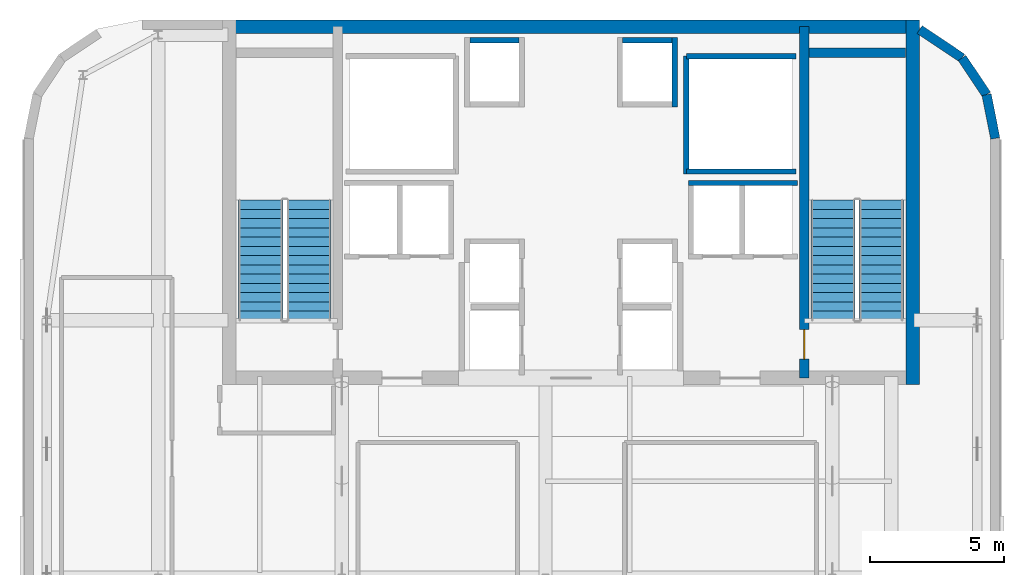
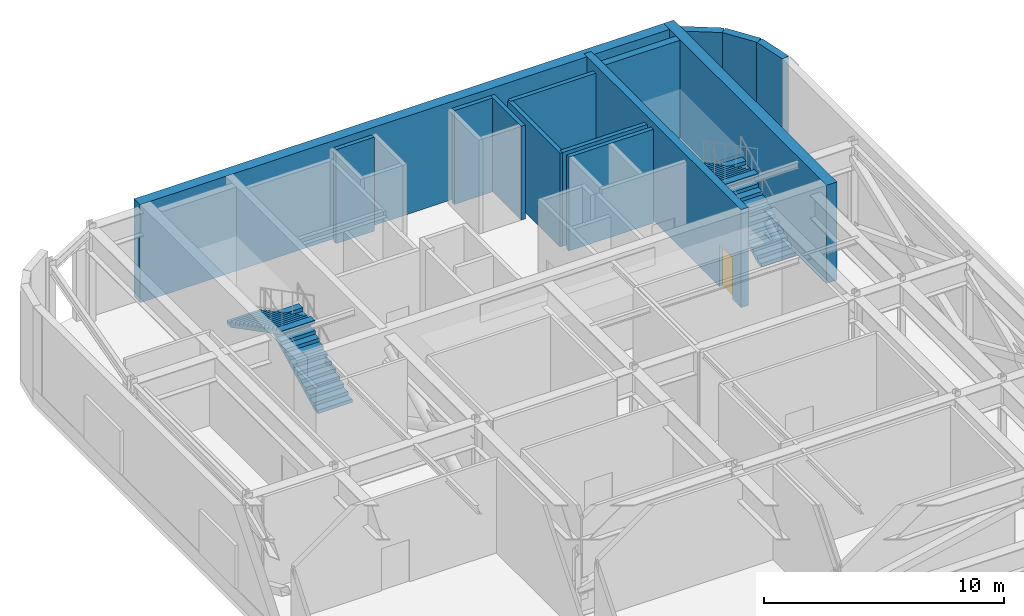
# One storey, part 9 of 13: 14 walls, 4 stair flights, 1 door, 1 opening, 2 elements without a shape of their own.
"""IFC4 building model written with IfcOpenShell, lengths in metres."""

import ifcopenshell
import ifcopenshell.guid

model = None  # the IFC model being written
_history = None  # IfcOwnerHistory: only IFC2X3 demands one
_inside = {}  # id of a spatial element -> (the spatial element, [elements in it])
_under = {}  # id of a project, library or spatial element -> (it, [spatial elements below it])
_declared = {}  # id of a project -> (the project, [libraries it declares])
_typed = {}  # id of a type object -> (the type object, [elements of that type])
_made_of = {}  # id of a material, layer set ... -> (it, [elements and type objects made of it])


def new_model(schema):
    """Start an empty IFC model of exactly this schema.

    Asked for "IFC4X3", IfcOpenShell would pick the latest addendum, in which some entities
    have other attributes; the version numbers below select the first issue.
    IFC2X3 requires an IfcOwnerHistory on every rooted entity: one is made here for all.
    """
    global model, _history
    if schema == "IFC4X3":
        model = ifcopenshell.file(schema_version=(4, 3, 0, 0))
    else:
        model = ifcopenshell.file(schema=schema)
    _inside.clear()
    _under.clear()
    _declared.clear()
    _typed.clear()
    _made_of.clear()
    _history = None
    if model.schema == "IFC2X3":
        org = make("IfcOrganization", Name="unknown")
        user = make(
            "IfcPersonAndOrganization",
            ThePerson=make("IfcPerson", FamilyName="unknown"),
            TheOrganization=org,
        )
        app = make(
            "IfcApplication",
            ApplicationDeveloper=org,
            Version="unknown",
            ApplicationFullName="unknown",
            ApplicationIdentifier="unknown",
        )
        _history = make(
            "IfcOwnerHistory",
            OwningUser=user,
            OwningApplication=app,
            ChangeAction="ADDED",
            CreationDate=0,
        )
    return model


def make(cls, **values):
    """One entity of the class cls with the attributes given. An attribute that is None is left unset."""
    return model.create_entity(
        cls, **{name: value for name, value in values.items() if value is not None}
    )


def rooted(cls, **values):
    """An entity with a GlobalId (a new one), such as an element, a storey or a relation."""
    return make(cls, GlobalId=ifcopenshell.guid.new(), OwnerHistory=_history, **values)


def si_unit(unit_type, name, prefix=None):
    """IfcSIUnit, for example si_unit("LENGTHUNIT", "METRE", prefix="MILLI")."""
    return make("IfcSIUnit", UnitType=unit_type, Prefix=prefix, Name=name)


def assignment(units):
    """IfcUnitAssignment: the units of a project."""
    return None if units is None else make("IfcUnitAssignment", Units=units)


def point(xyz):
    """IfcCartesianPoint."""
    return None if xyz is None else make("IfcCartesianPoint", Coordinates=xyz)


def direction(xyz):
    """IfcDirection."""
    return None if xyz is None else make("IfcDirection", DirectionRatios=xyz)


def frame(location, z_axis=None, x_axis=None):
    """IfcAxis2Placement3D, a coordinate frame: its origin and axes. An axis left out is left unset."""
    return make(
        "IfcAxis2Placement3D",
        Location=point(location),
        Axis=direction(z_axis),
        RefDirection=direction(x_axis),
    )


def frame_2d(location, x_axis=None):
    """IfcAxis2Placement2D, a coordinate frame in the plane: its origin and x axis."""
    return make(
        "IfcAxis2Placement2D", Location=point(location), RefDirection=direction(x_axis)
    )


def origin():
    """The frame at (0, 0, 0) with its axes left unset."""
    return frame((0.0, 0.0, 0.0))


def place(relative_to, where):
    """IfcLocalPlacement: puts the frame where relative to a parent placement (None: the world)."""
    return make(
        "IfcLocalPlacement", PlacementRelTo=relative_to, RelativePlacement=where
    )


def context(
    kind, dimensions, precision=None, world=None, true_north=None, identifier=None
):
    """IfcGeometricRepresentationContext, for example the 3D "Model" context."""
    return make(
        "IfcGeometricRepresentationContext",
        ContextIdentifier=identifier,
        ContextType=kind,
        CoordinateSpaceDimension=dimensions,
        Precision=precision,
        WorldCoordinateSystem=world,
        TrueNorth=true_north,
    )


def subcontext(parent, identifier, kind, view, scale=None):
    """IfcGeometricRepresentationSubContext, for example "Body" below "Model"."""
    return make(
        "IfcGeometricRepresentationSubContext",
        ContextIdentifier=identifier,
        ContextType=kind,
        ParentContext=parent,
        TargetScale=scale,
        TargetView=view,
    )


def project(units=None, contexts=None):
    """IfcProject with its units and contexts."""
    return rooted(
        "IfcProject",
        Name="project",
        RepresentationContexts=contexts,
        UnitsInContext=assignment(units),
    )


def spatial(cls, under=None, at=None, **own):
    """A site, building, storey or space (cls), placed at a placement, below another one or the project."""
    s = rooted(cls, ObjectPlacement=at, **own)
    if under is not None:
        _under.setdefault(under.id(), (under, []))[1].append(s)
    return s


def polyline(points):
    """IfcPolyline through the points."""
    return make("IfcPolyline", Points=[point(p) for p in points])


def profile(cls, at=None, kind="AREA", **sizes):
    """A parametric profile (cls). Its sizes go by their IFC names, for example OverallWidth=200.0."""
    return make(cls, ProfileType=kind, Position=at, **sizes)


def rectangle(**sizes):
    """IfcRectangleProfileDef."""
    return profile("IfcRectangleProfileDef", **sizes)


def outline(outer, holes=None, kind="AREA"):
    """IfcArbitraryClosedProfileDef: a profile drawn as a closed curve; with holes, ...WithVoids."""
    if holes is None:
        return make("IfcArbitraryClosedProfileDef", ProfileType=kind, OuterCurve=outer)
    return make(
        "IfcArbitraryProfileDefWithVoids",
        ProfileType=kind,
        OuterCurve=outer,
        InnerCurves=holes,
    )


def extrude(swept, where, along, depth):
    """IfcExtrudedAreaSolid: the profile swept, set in the frame where, extruded along a direction by depth."""
    return make(
        "IfcExtrudedAreaSolid",
        SweptArea=swept,
        Position=where,
        ExtrudedDirection=direction(along),
        Depth=depth,
    )


def shape(context_of_items, identifier, shape_type, items):
    """IfcShapeRepresentation: the items that make up one representation, for example the "Body"."""
    return make(
        "IfcShapeRepresentation",
        ContextOfItems=context_of_items,
        RepresentationIdentifier=identifier,
        RepresentationType=shape_type,
        Items=items,
    )


def source(mapping_origin, context_of_items, identifier, shape_type, items):
    """IfcRepresentationMap: a shape defined once, which mapped items show again and again."""
    return make(
        "IfcRepresentationMap",
        MappingOrigin=mapping_origin,
        MappedRepresentation=shape(context_of_items, identifier, shape_type, items),
    )


def transform(
    local_origin,
    x_axis=None,
    y_axis=None,
    z_axis=None,
    scale=None,
    scale2=None,
    scale3=None,
    uniform=True,
):
    """IfcCartesianTransformationOperator3D, or its non-uniform kind. x_axis, y_axis, z_axis: its Axis1, 2, 3."""
    if uniform:
        return make(
            "IfcCartesianTransformationOperator3D",
            Axis1=direction(x_axis),
            Axis2=direction(y_axis),
            LocalOrigin=point(local_origin),
            Scale=scale,
            Axis3=direction(z_axis),
        )
    return make(
        "IfcCartesianTransformationOperator3DnonUniform",
        Axis1=direction(x_axis),
        Axis2=direction(y_axis),
        LocalOrigin=point(local_origin),
        Scale=scale,
        Axis3=direction(z_axis),
        Scale2=scale2,
        Scale3=scale3,
    )


def mapped(mapping_source, mapping_target):
    """IfcMappedItem: shows the shape of a source again, moved by a transform."""
    return make(
        "IfcMappedItem", MappingSource=mapping_source, MappingTarget=mapping_target
    )


def material(Name=None, Category=None):
    """IfcMaterial."""
    return make("IfcMaterial", Name=Name, Category=Category)


def layer(
    of_material, thickness, ventilated=None, Name=None, Category=None, Priority=None
):
    """IfcMaterialLayer: one layer of a wall or slab, of a material (None: an air gap)."""
    return make(
        "IfcMaterialLayer",
        Material=of_material,
        LayerThickness=thickness,
        IsVentilated=ventilated,
        Name=Name,
        Category=Category,
        Priority=Priority,
    )


def layer_set(layers, Name=None):
    """IfcMaterialLayerSet."""
    return make("IfcMaterialLayerSet", MaterialLayers=layers, LayerSetName=Name)


def made_of(thing, what):
    """Note that an element or type object is made of a material, layer set ...; save() writes the relation."""
    if what is not None:
        _made_of.setdefault(what.id(), (what, []))[1].append(thing)
    return thing


def type_object(cls, material=None, **own):
    """A type object (cls), such as IfcWallType, which elements share."""
    return made_of(rooted(cls, **own), material)


def type_shapes(of_type, sources):
    """Give a type object the sources (RepresentationMaps) that its elements show as mapped items."""
    of_type.RepresentationMaps = sources


def element(
    cls,
    number,
    at=None,
    inside=None,
    cuts=None,
    type_object=None,
    material=None,
    context=None,
    identifier="Body",
    shape_type=None,
    held_by="IfcProductDefinitionShape",
    body=None,
    shapes=None,
    **own,
):
    """One element of the class cls, such as IfcWall. Its Tag is "e" and its number.

    at: its placement. inside: the storey or other place that contains it. cuts: it is an
    opening in that element (IfcRelVoidsElement). A single representation is given by context,
    identifier, shape_type and body (its items); several are given by shapes. held_by: the class
    of the entity that holds the representations. save() writes the other relations.
    """
    e = rooted(cls, Tag="e%d" % number, ObjectPlacement=at, **own)
    if body is not None:
        shapes = [shape(context, identifier, shape_type, body)]
    if shapes is not None:
        e.Representation = make(held_by, Representations=shapes)
    if inside is not None:
        _inside.setdefault(inside.id(), (inside, []))[1].append(e)
    if cuts is not None:
        rooted(
            "IfcRelVoidsElement", RelatingBuildingElement=cuts, RelatedOpeningElement=e
        )
    if type_object is not None:
        _typed.setdefault(type_object.id(), (type_object, []))[1].append(e)
    return made_of(e, material)


def fill(opening, filler):
    """IfcRelFillsElement: the door or window that sits in an opening."""
    return rooted(
        "IfcRelFillsElement",
        RelatingOpeningElement=opening,
        RelatedBuildingElement=filler,
    )


def aggregate(whole, parts):
    """IfcRelAggregates: a whole, such as a stair, and the parts it consists of."""
    return rooted("IfcRelAggregates", RelatingObject=whole, RelatedObjects=parts)


def save(model, path):
    """Write the relations noted so far, then the file.

    IfcRelAggregates (storeys below a building ...), IfcRelContainedInSpatialStructure (elements
    in a storey), IfcRelDefinesByType, IfcRelAssociatesMaterial and IfcRelDeclares: one each for
    every whole, place, type object, material and project.
    """
    for whole, parts in _under.values():
        aggregate(whole, parts)
    for where, things in _inside.values():
        rooted(
            "IfcRelContainedInSpatialStructure",
            RelatedElements=things,
            RelatingStructure=where,
        )
    for kind, things in _typed.values():
        rooted("IfcRelDefinesByType", RelatedObjects=things, RelatingType=kind)
    for what, things in _made_of.values():
        rooted("IfcRelAssociatesMaterial", RelatedObjects=things, RelatingMaterial=what)
    for by, libraries in _declared.values():
        rooted("IfcRelDeclares", RelatingContext=by, RelatedDefinitions=libraries)
    model.write(path)


model = new_model("IFC4")

# Units and contexts
model_context = context("Model", 3, precision=1e-05, world=origin(), true_north=direction((0.0, 1.0)))
body_context = subcontext(model_context, "Body", "Model", "MODEL_VIEW")
ifc_project = project(units=[si_unit("LENGTHUNIT", "METRE"), si_unit("AREAUNIT", "SQUARE_METRE"), si_unit("VOLUMEUNIT", "CUBIC_METRE"), si_unit("PLANEANGLEUNIT", "RADIAN"), si_unit("MASSUNIT", "GRAM", prefix="KILO")], contexts=[model_context])

# Site, building, storey
site_placement = place(None, origin())
site = spatial("IfcSite", under=ifc_project, at=site_placement, CompositionType="ELEMENT")
building_placement = place(site_placement, origin())
building = spatial("IfcBuilding", under=site, at=building_placement, Name="Tolvann Quenvar Hotel", CompositionType="ELEMENT")
storey_placement = place(building_placement, frame((0.0, 0.0, 270.050048828125)))
storey = spatial("IfcBuildingStorey", under=building, at=storey_placement, Name="L72", CompositionType="ELEMENT", Elevation=270.050048828125)

# Walls
ifc_material_1 = material(Name="Concrete N50 (50 MPa)", Category="concrete")
ifc_layer_1 = layer(ifc_material_1, 0.5)
ifc_layer_set_1 = layer_set([ifc_layer_1], Name="Concrete N50 (50 MPa)")
wall_type_1 = type_object("IfcWallType", Name="WALL_CORE_500", PredefinedType="SHEAR", material=ifc_layer_set_1)
wall_1_placement = place(storey_placement, frame((10.0, 44.949951171875, 0.0), z_axis=(0.0, 0.0, 1.0), x_axis=(1.0, 0.0, 0.0)))
element("IfcWall", 1, at=wall_1_placement, inside=storey, type_object=wall_type_1, Name="Rear Core N Shear Wall (L72)", PredefinedType="SHEAR", context=body_context, shape_type="SweptSolid", body=[
    extrude(rectangle(XDim=26.0, YDim=0.5, at=frame_2d((13.0, 0.0))), origin(), (0.0, 0.0, 1.0), 5.0),
])
wall_2_placement = place(storey_placement, frame((35.75, 31.60009765625, 0.0), z_axis=(0.0, 0.0, 1.0), x_axis=(0.0, 1.0, 0.0)))
element("IfcWall", 2, at=wall_2_placement, inside=storey, type_object=wall_type_1, Name="Rear Core E Shear Wall (L72)", PredefinedType="SHEAR", context=body_context, shape_type="SweptSolid", body=[
    extrude(rectangle(XDim=13.599853515625, YDim=0.5, at=frame_2d((6.7998046875, 0.0))), origin(), (0.0, 0.0, 1.0), 5.0),
])

# Wall, opening, door
ifc_material_2 = material(Name="Concrete S65 (65 MPa)", Category="concrete")
ifc_layer_2 = layer(ifc_material_2, 0.35009765625)
ifc_layer_set_2 = layer_set([ifc_layer_2], Name="Concrete S65 (65 MPa)")
wall_type_2 = type_object("IfcWallType", Name="WALL_CORE_INT_350", PredefinedType="SHEAR", material=ifc_layer_set_2)
wall_3_placement = place(storey_placement, frame((31.699951171875, 31.85009765625, 0.0), z_axis=(0.0, 0.0, 1.0), x_axis=(0.0, 1.0, 0.0)))
wall_3 = element("IfcWall", 3, at=wall_3_placement, inside=storey, type_object=wall_type_2, Name="Core Internal Web Shear Wall WEB-E (L72)", PredefinedType="SHEAR", context=body_context, shape_type="SweptSolid", body=[
    extrude(rectangle(XDim=13.099853515625, YDim=0.35009765625, at=frame_2d((6.5498046875, 0.0))), origin(), (0.0, 0.0, 1.0), 5.0),
])
opening_placement = place(wall_3_placement, frame((1.800048828125, 0.0, 0.0), z_axis=(0.0, 0.0, 1.0), x_axis=(-1.0, 0.0, 0.0)))
opening = element("IfcOpeningElement", 4, at=opening_placement, cuts=wall_3, Name="Opening FD-120", PredefinedType="OPENING", context=body_context, shape_type="SweptSolid", body=[
    extrude(rectangle(XDim=1.10009765625, YDim=2.1201171875, at=frame_2d((0.550048828125, 1.06005859375))), frame((0.0, 0.18505859375, 0.0), z_axis=(0.0, -1.0, 0.0), x_axis=(1.0, 0.0, 0.0)), (0.0, 0.0, 1.0), 0.3701171875),
])
ifc_material_3 = material(Name="Pressed galvanised steel fire-rated door set", Category="steel")
door_type = type_object("IfcDoorType", Name="DOOR_FIRE_STAIR_1100", OperationType="NOTDEFINED", PredefinedType="DOOR", material=ifc_material_3)
shared_shape = source(origin(), body_context, "Body", "SweptSolid", [
    extrude(rectangle(XDim=1.10009765625, YDim=2.1201171875, at=frame_2d((0.550048828125, 1.06005859375))), frame((0.0, 0.02490234375, 0.0), z_axis=(0.0, -1.0, 0.0), x_axis=(1.0, 0.0, 0.0)), (0.0, 0.0, 1.0), 0.050048828125),
])
type_shapes(door_type, [shared_shape])
door_placement = place(opening_placement, origin())
door = element("IfcDoor", 5, at=door_placement, inside=storey, type_object=door_type, Name="Exit Stair ST-C2 Fire Door (L72)", OperationType="SINGLE_SWING_RIGHT", OverallHeight=2.1201171875, OverallWidth=1.10009765625, PredefinedType="DOOR", context=body_context, shape_type="MappedRepresentation", body=[
    mapped(shared_shape, transform((0.0, 0.0, 0.0), x_axis=(1.0, 0.0, 0.0), y_axis=(0.0, 1.0, 0.0), z_axis=(0.0, 0.0, 1.0), scale=1.0)),
])
fill(opening, door)

# Walls
wall_4_placement = place(storey_placement, frame((31.8798828125, 43.97509765625, 0.0), z_axis=(0.0, 0.0, 1.0), x_axis=(1.0, 0.0, 0.0)))
element("IfcWall", 6, at=wall_4_placement, inside=storey, type_object=wall_type_2, Name="Core Stair North Closing Shear Wall STC2-N (L72)", PredefinedType="SHEAR", context=body_context, shape_type="SweptSolid", body=[
    extrude(rectangle(XDim=3.60009765625, YDim=0.35009765625, at=frame_2d((1.800048828125, 0.0))), origin(), (0.0, 0.0, 1.0), 5.0),
])
ifc_material_4 = material(Name="Kiln-fired red and buff architectural clay brickwork and terracotta masonry", Category="masonry")
ifc_layer_3 = layer(ifc_material_4, 0.35009765625)
ifc_layer_set_3 = layer_set([ifc_layer_3], Name="Kiln-fired red and buff architectural clay brickwork and terracotta masonry")
wall_type_3 = type_object("IfcWallType", Name="WALL_EXT_BRICK_350", PredefinedType="SOLIDWALL", material=ifc_layer_set_3)
wall_5_placement = place(storey_placement, frame((38.824951171875, 40.78271484375, 0.0), z_axis=(0.0, 0.0, 1.0), x_axis=(-0.195044345786, 0.980794424524, 0.0)))
element("IfcWall", 7, at=wall_5_placement, inside=storey, type_object=wall_type_3, Name="Exterior Chicago Brick Wall L72-E10", PredefinedType="SOLIDWALL", context=body_context, shape_type="SweptSolid", body=[
    extrude(rectangle(XDim=1.664794921875, YDim=0.35009765625, at=frame_2d((0.83251953125, 0.0))), origin(), (0.0, 0.0, 1.0), 4.780029296875),
])
wall_6_placement = place(storey_placement, frame((38.500244140625, 42.41552734375, 0.0), z_axis=(0.0, 0.0, 1.0), x_axis=(-0.555520825599, 0.831502623162, 0.0)))
element("IfcWall", 8, at=wall_6_placement, inside=storey, type_object=wall_type_3, Name="Exterior Chicago Brick Wall L72-E11", PredefinedType="SOLIDWALL", context=body_context, shape_type="SweptSolid", body=[
    extrude(rectangle(XDim=1.647216796875, YDim=0.35009765625, at=frame_2d((0.82373046875, 0.0))), origin(), (0.0, 0.0, 1.0), 4.780029296875),
])
wall_7_placement = place(storey_placement, frame((37.585205078125, 43.78515625, 0.0), z_axis=(0.0, 0.0, 1.0), x_axis=(-0.831516639465, 0.555499845448, 0.0)))
element("IfcWall", 9, at=wall_7_placement, inside=storey, type_object=wall_type_3, Name="Exterior Chicago Brick Wall L72-E12", PredefinedType="SOLIDWALL", context=body_context, shape_type="SweptSolid", body=[
    extrude(rectangle(XDim=1.901611328125, YDim=0.35009765625, at=frame_2d((0.95068359375, 0.0))), origin(), (0.0, 0.0, 1.0), 4.780029296875),
])
ifc_material_5 = material(Name="Concrete N40 (40 MPa)", Category="concrete")
ifc_layer_4 = layer(ifc_material_5, 0.199951171875)
ifc_layer_set_4 = layer_set([ifc_layer_4], Name="Concrete N40 (40 MPa)")
wall_type_4 = type_object("IfcWallType", Name="WALL_SHAFT_200", PredefinedType="SOLIDWALL", material=ifc_layer_set_4)
wall_8_placement = place(storey_placement, frame((27.300048828125, 39.449951171875, 0.0), z_axis=(0.0, 0.0, 1.0), x_axis=(0.0, 1.0, 0.0)))
element("IfcWall", 10, at=wall_8_placement, inside=storey, type_object=wall_type_4, Name="Service Riser E Shaft Wall IN (L72)", PredefinedType="SOLIDWALL", context=body_context, shape_type="SweptSolid", body=[
    extrude(rectangle(XDim=4.400146484375, YDim=0.199951171875, at=frame_2d((2.2001953125, 0.0))), origin(), (0.0, 0.0, 1.0), 4.780029296875),
])
for number, where, z_axis, x_axis, name in (
    (11, (27.300048828125, 39.550048828125, 0.0), (0.0, 0.0, 1.0), (1.0, 0.0, 0.0), "Service Riser E Shaft Wall S (L72)"),
    (12, (27.300048828125, 43.85009765625, 0.0), (0.0, 0.0, 1.0), (1.0, 0.0, 0.0), "Service Riser E Shaft Wall N (L72)"),
):
    element("IfcWall", number, at=place(storey_placement, frame(where, z_axis=z_axis, x_axis=x_axis)), inside=storey, type_object=wall_type_4, Name=name, PredefinedType="SOLIDWALL", context=body_context, shape_type="SweptSolid", body=[
        extrude(rectangle(XDim=4.099853515625, YDim=0.199951171875, at=frame_2d((2.0498046875, 0.0))), origin(), (0.0, 0.0, 1.0), 4.780029296875),
    ])
wall_9_placement = place(storey_placement, frame((19.22998046875, 44.43994140625, 0.0), z_axis=(0.0, 0.0, 1.0), x_axis=(1.0, 0.0, 0.0)))
element("IfcWall", 13, at=wall_9_placement, inside=storey, type_object=wall_type_4, Name="Lift Bank E21.1C2 Hoistway Cheek Wall 2 (L72)", PredefinedType="SOLIDWALL", context=body_context, shape_type="SweptSolid", body=[
    extrude(rectangle(XDim=1.840087890625, YDim=0.199951171875, at=frame_2d((0.919921875, 0.0))), origin(), (0.0, 0.0, 1.0), 4.780029296875),
])
wall_10_placement = place(storey_placement, frame((27.375, 39.1201171875, 0.0), z_axis=(0.0, 0.0, 1.0), x_axis=(1.0, 0.0, 0.0)))
element("IfcWall", 14, at=wall_10_placement, inside=storey, type_object=wall_type_4, Name="Lift Bank SEC1 Hoistway Rear Wall (L72)", PredefinedType="SOLIDWALL", context=body_context, shape_type="SweptSolid", body=[
    extrude(rectangle(XDim=4.074951171875, YDim=0.199951171875, at=frame_2d((2.03759765625, 0.0))), origin(), (0.0, 0.0, 1.0), 4.780029296875),
])
wall_11_placement = place(storey_placement, frame((26.8701171875, 41.9599609375, 0.0), z_axis=(0.0, 0.0, 1.0), x_axis=(0.0, 1.0, 0.0)))
element("IfcWall", 15, at=wall_11_placement, inside=storey, type_object=wall_type_4, Name="Lift Bank W24.9C2 Hoistway Rear Wall (L72)", PredefinedType="SOLIDWALL", context=body_context, shape_type="SweptSolid", body=[
    extrude(rectangle(XDim=2.580078125, YDim=0.199951171875, at=frame_2d((1.2900390625, 0.0))), origin(), (0.0, 0.0, 1.0), 4.780029296875),
])
wall_12_placement = place(storey_placement, frame((24.929931640625, 44.43994140625, 0.0), z_axis=(0.0, 0.0, 1.0), x_axis=(1.0, 0.0, 0.0)))
element("IfcWall", 16, at=wall_12_placement, inside=storey, type_object=wall_type_4, Name="Lift Bank W24.9C2 Hoistway Cheek Wall 2 (L72)", PredefinedType="SOLIDWALL", context=body_context, shape_type="SweptSolid", body=[
    extrude(rectangle(XDim=1.840087890625, YDim=0.199951171875, at=frame_2d((0.919921875, 0.0))), origin(), (0.0, 0.0, 1.0), 4.780029296875),
])

# Stair, stair flights
stair_type = type_object("IfcStairType", Name="STAIR", PredefinedType="HALF_TURN_STAIR", material=ifc_material_5)
stair_1_placement = place(storey_placement, origin())
stair_1 = element("IfcStair", 17, at=stair_1_placement, inside=storey, type_object=stair_type, Name="L72 ST-C1", PredefinedType="HALF_TURN_STAIR")
stair_flight_type = type_object("IfcStairFlightType", Name="STAIR_FLIGHT", PredefinedType="STRAIGHT", material=ifc_material_5)
stair_flight_1_placement = place(storey_placement, frame((13.22509765625, 34.0, 0.0), z_axis=(0.0, 0.0, 1.0), x_axis=(0.0, 1.0, 0.0)))
stair_flight_1 = element("IfcStairFlight", 18, at=stair_flight_1_placement, type_object=stair_flight_type, Name="ST-C1 flight 1", NumberOfRisers=14, NumberOfTreads=13, PredefinedType="STRAIGHT", RiserHeight=0.178571429, TreadLength=0.345, context=body_context, shape_type="SweptSolid", body=[
    extrude(outline(polyline([(0.0, 0.0), (0.0, 0.178466796875), (0.344970703125, 0.178466796875), (0.344970703125, 0.357177734375), (0.68994140625, 0.357177734375), (0.68994140625, 0.53564453125), (1.034912109375, 0.53564453125), (1.034912109375, 0.71435546875), (1.3798828125, 0.71435546875), (1.3798828125, 0.892822265625), (1.72509765625, 0.892822265625), (1.72509765625, 1.071533203125), (2.070068359375, 1.071533203125), (2.070068359375, 1.25), (2.4150390625, 1.25), (2.4150390625, 1.428466796875), (2.760009765625, 1.428466796875), (2.760009765625, 1.607177734375), (3.10498046875, 1.607177734375), (3.10498046875, 1.78564453125), (3.449951171875, 1.78564453125), (3.449951171875, 1.96435546875), (3.794921875, 1.96435546875), (3.794921875, 2.142822265625), (4.139892578125, 2.142822265625), (4.139892578125, 2.321533203125), (4.485107421875, 2.321533203125), (4.485107421875, 2.5), (4.485107421875, 2.152587890625), (0.326171875, 0.0), (0.0, 0.0)])), frame((0.0, 0.824951171875, 0.0), z_axis=(0.0, -1.0, 0.0), x_axis=(1.0, 0.0, 0.0)), (0.0, 0.0, 1.0), 1.64990234375),
])
stair_flight_2_placement = place(storey_placement, frame((11.425048828125, 38.485107421875, 2.5), z_axis=(0.0, 0.0, 1.0), x_axis=(0.0, -1.0, 0.0)))
stair_flight_2 = element("IfcStairFlight", 19, at=stair_flight_2_placement, type_object=stair_flight_type, Name="ST-C1 flight 2", NumberOfRisers=14, NumberOfTreads=13, PredefinedType="STRAIGHT", RiserHeight=0.178571429, TreadLength=0.345, context=body_context, shape_type="SweptSolid", body=[
    extrude(outline(polyline([(0.0, 0.0), (0.0, 0.178466796875), (0.344970703125, 0.178466796875), (0.344970703125, 0.357177734375), (0.68994140625, 0.357177734375), (0.68994140625, 0.53564453125), (1.034912109375, 0.53564453125), (1.034912109375, 0.71435546875), (1.3798828125, 0.71435546875), (1.3798828125, 0.892822265625), (1.72509765625, 0.892822265625), (1.72509765625, 1.071533203125), (2.070068359375, 1.071533203125), (2.070068359375, 1.25), (2.4150390625, 1.25), (2.4150390625, 1.428466796875), (2.760009765625, 1.428466796875), (2.760009765625, 1.607177734375), (3.10498046875, 1.607177734375), (3.10498046875, 1.78564453125), (3.449951171875, 1.78564453125), (3.449951171875, 1.96435546875), (3.794921875, 1.96435546875), (3.794921875, 2.142822265625), (4.139892578125, 2.142822265625), (4.139892578125, 2.321533203125), (4.485107421875, 2.321533203125), (4.485107421875, 2.5), (4.485107421875, 2.152587890625), (0.326171875, 0.0), (0.0, 0.0)])), frame((0.0, 0.824951171875, 0.0), z_axis=(0.0, -1.0, 0.0), x_axis=(1.0, 0.0, 0.0)), (0.0, 0.0, 1.0), 1.64990234375),
])
aggregate(stair_1, [stair_flight_1, stair_flight_2])

stair_2_placement = place(storey_placement, origin())
stair_2 = element("IfcStair", 20, at=stair_2_placement, inside=storey, type_object=stair_type, Name="L72 ST-C2", PredefinedType="HALF_TURN_STAIR")
stair_flight_3_placement = place(storey_placement, frame((34.574951171875, 34.0, 0.0), z_axis=(0.0, 0.0, 1.0), x_axis=(0.0, 1.0, 0.0)))
stair_flight_3 = element("IfcStairFlight", 21, at=stair_flight_3_placement, type_object=stair_flight_type, Name="ST-C2 flight 1", NumberOfRisers=14, NumberOfTreads=13, PredefinedType="STRAIGHT", RiserHeight=0.178571429, TreadLength=0.345, context=body_context, shape_type="SweptSolid", body=[
    extrude(outline(polyline([(0.0, 0.0), (0.0, 0.178466796875), (0.344970703125, 0.178466796875), (0.344970703125, 0.357177734375), (0.68994140625, 0.357177734375), (0.68994140625, 0.53564453125), (1.034912109375, 0.53564453125), (1.034912109375, 0.71435546875), (1.3798828125, 0.71435546875), (1.3798828125, 0.892822265625), (1.72509765625, 0.892822265625), (1.72509765625, 1.071533203125), (2.070068359375, 1.071533203125), (2.070068359375, 1.25), (2.4150390625, 1.25), (2.4150390625, 1.428466796875), (2.760009765625, 1.428466796875), (2.760009765625, 1.607177734375), (3.10498046875, 1.607177734375), (3.10498046875, 1.78564453125), (3.449951171875, 1.78564453125), (3.449951171875, 1.96435546875), (3.794921875, 1.96435546875), (3.794921875, 2.142822265625), (4.139892578125, 2.142822265625), (4.139892578125, 2.321533203125), (4.485107421875, 2.321533203125), (4.485107421875, 2.5), (4.485107421875, 2.152587890625), (0.326171875, 0.0), (0.0, 0.0)])), frame((0.0, 0.824951171875, 0.0), z_axis=(0.0, -1.0, 0.0), x_axis=(1.0, 0.0, 0.0)), (0.0, 0.0, 1.0), 1.64990234375),
])
stair_flight_4_placement = place(storey_placement, frame((32.77490234375, 38.485107421875, 2.5), z_axis=(0.0, 0.0, 1.0), x_axis=(0.0, -1.0, 0.0)))
stair_flight_4 = element("IfcStairFlight", 22, at=stair_flight_4_placement, type_object=stair_flight_type, Name="ST-C2 flight 2", NumberOfRisers=14, NumberOfTreads=13, PredefinedType="STRAIGHT", RiserHeight=0.178571429, TreadLength=0.345, context=body_context, shape_type="SweptSolid", body=[
    extrude(outline(polyline([(0.0, 0.0), (0.0, 0.178466796875), (0.344970703125, 0.178466796875), (0.344970703125, 0.357177734375), (0.68994140625, 0.357177734375), (0.68994140625, 0.53564453125), (1.034912109375, 0.53564453125), (1.034912109375, 0.71435546875), (1.3798828125, 0.71435546875), (1.3798828125, 0.892822265625), (1.72509765625, 0.892822265625), (1.72509765625, 1.071533203125), (2.070068359375, 1.071533203125), (2.070068359375, 1.25), (2.4150390625, 1.25), (2.4150390625, 1.428466796875), (2.760009765625, 1.428466796875), (2.760009765625, 1.607177734375), (3.10498046875, 1.607177734375), (3.10498046875, 1.78564453125), (3.449951171875, 1.78564453125), (3.449951171875, 1.96435546875), (3.794921875, 1.96435546875), (3.794921875, 2.142822265625), (4.139892578125, 2.142822265625), (4.139892578125, 2.321533203125), (4.485107421875, 2.321533203125), (4.485107421875, 2.5), (4.485107421875, 2.152587890625), (0.326171875, 0.0), (0.0, 0.0)])), frame((0.0, 0.824951171875, 0.0), z_axis=(0.0, -1.0, 0.0), x_axis=(1.0, 0.0, 0.0)), (0.0, 0.0, 1.0), 1.64990234375),
])
aggregate(stair_2, [stair_flight_3, stair_flight_4])

save(model, "model.ifc")
